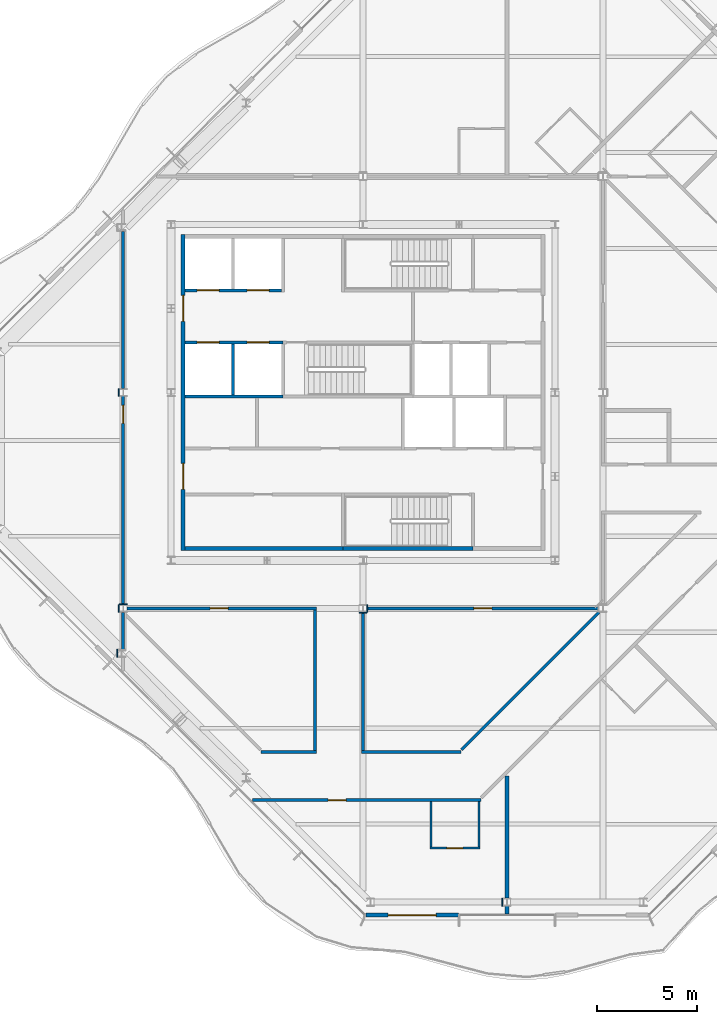
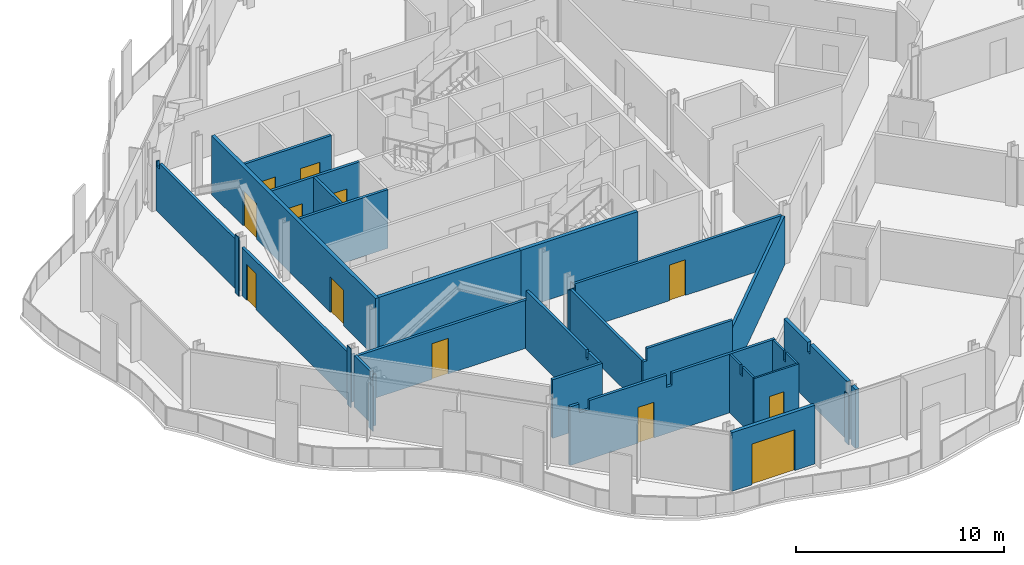
# One storey, part 7 of 17: 31 walls, 12 doors, 12 openings.
"""IFC4 building model written with IfcOpenShell, lengths in metres."""

from ifc_helpers import new_model, si_unit, direction, frame, frame_2d, origin, place, context, subcontext, project, spatial, polyline, rectangle, outline, extrude, material, layer, layer_set, type_object, element, fill, save


model = new_model("IFC4")

# Units and contexts
model_context = context("Model", 3, precision=1e-05, world=origin(), true_north=direction((0.0, 1.0)))
body_context = subcontext(model_context, "Body", "Model", "MODEL_VIEW")
ifc_project = project(units=[si_unit("LENGTHUNIT", "METRE"), si_unit("AREAUNIT", "SQUARE_METRE"), si_unit("VOLUMEUNIT", "CUBIC_METRE"), si_unit("PLANEANGLEUNIT", "RADIAN"), si_unit("MASSUNIT", "GRAM", prefix="KILO")], contexts=[model_context])

# Site, building, storey
site_placement = place(None, origin())
site = spatial("IfcSite", under=ifc_project, at=site_placement, CompositionType="ELEMENT")
building_placement = place(site_placement, origin())
building = spatial("IfcBuilding", under=site, at=building_placement, Name="Cairn Pilgrim Tower", CompositionType="ELEMENT")
storey_placement = place(building_placement, frame((0.0, 0.0, 274.199951171875)))
storey = spatial("IfcBuildingStorey", under=building, at=storey_placement, Name="L70", CompositionType="ELEMENT", Elevation=274.199951171875)

# Wall, opening, door
ifc_material_1 = material(Name="Bronze anodised aluminium insulated sandwich panel with mineral wool fill", Category="aluminium")
ifc_layer_1 = layer(ifc_material_1, 0.199951171875)
ifc_layer_set_1 = layer_set([ifc_layer_1], Name="BRONZE INFILL FRAME WALL 200")
wall_type_1 = type_object("IfcWallType", Name="BRONZE INFILL FRAME WALL 200", PredefinedType="NOTDEFINED", material=ifc_layer_set_1)
wall_1_placement = place(storey_placement, frame((7.343505859375, -23.75, 0.0), z_axis=(0.0, 0.0, 1.0), x_axis=(1.0, 0.0, 0.0)))
wall_1 = element("IfcWall", 1, at=wall_1_placement, inside=storey, type_object=wall_type_1, Name="Bronze infill frame wall IW-S1", PredefinedType="NOTDEFINED", context=body_context, shape_type="SweptSolid", body=[
    extrude(rectangle(XDim=4.62646484375, YDim=0.199951171875, at=frame_2d((2.313232421875, 0.0))), origin(), (0.0, 0.0, 1.0), 3.449951171875),
])
opening_1_placement = place(wall_1_placement, frame((1.1083984375, 0.0, 0.0)))
opening_1 = element("IfcOpeningElement", 2, at=opening_1_placement, cuts=wall_1, Name="Opening 7012B", PredefinedType="OPENING", context=body_context, shape_type="SweptSolid", body=[
    extrude(rectangle(XDim=2.39990234375, YDim=2.39990234375, at=frame_2d((1.199951171875, 1.199951171875))), frame((0.0, 0.10986328125, 0.0), z_axis=(0.0, -1.0, 0.0), x_axis=(1.0, 0.0, 0.0)), (0.0, 0.0, 1.0), 0.219970703125),
])
ifc_material_2 = material(Name="Bronze anodised aluminium frame with tinted low-E glass", Category="aluminium")
door_type_1 = type_object("IfcDoorType", Name="BALCONY SLIDING DOOR 2400x2400", OperationType="DOUBLE_DOOR_SLIDING", PredefinedType="DOOR", material=ifc_material_2)
door_1_placement = place(opening_1_placement, origin())
door_1 = element("IfcDoor", 3, at=door_1_placement, inside=storey, type_object=door_type_1, Name="Balcony sliding door 7012B", OperationType="SINGLE_SWING_LEFT", OverallHeight=2.39990234375, OverallWidth=2.39990234375, PredefinedType="DOOR", context=body_context, shape_type="SweptSolid", body=[
    extrude(rectangle(XDim=2.39990234375, YDim=2.39990234375, at=frame_2d((1.199951171875, 1.199951171875))), frame((0.0, 0.02490234375, 0.0), z_axis=(0.0, -1.0, 0.0), x_axis=(1.0, 0.0, 0.0)), (0.0, 0.0, 1.0), 0.050048828125),
])
fill(opening_1, door_1)

# Wall
ifc_material_3 = material(Name="Concrete C32/40", Category="concrete")
ifc_layer_2 = layer(ifc_material_3, 0.199951171875)
ifc_layer_set_2 = layer_set([ifc_layer_2], Name="CORE OUTER WALL 200 EI 120")
wall_type_2 = type_object("IfcWallType", Name="CORE OUTER WALL 200 EI 120", PredefinedType="SOLIDWALL", material=ifc_layer_set_2)
wall_2_placement = place(storey_placement, frame((-1.699951171875, -5.39990234375, 0.0), z_axis=(0.0, 0.0, 1.0), x_axis=(1.0, 0.0, 0.0)))
element("IfcWall", 4, at=wall_2_placement, inside=storey, type_object=wall_type_2, Name="CW:L70:H01-1", PredefinedType="SOLIDWALL", context=body_context, shape_type="SweptSolid", body=[
    extrude(rectangle(XDim=7.89990234375, YDim=0.199951171875, at=frame_2d((3.949951171875, 0.0))), origin(), (0.0, 0.0, 1.0), 3.449951171875),
])

# Wall, openings, doors
wall_3_placement = place(storey_placement, frame((-1.800048828125, -5.5, 0.0), z_axis=(0.0, 0.0, 1.0), x_axis=(0.0, 1.0, 0.0)))
wall_3 = element("IfcWall", 5, at=wall_3_placement, inside=storey, type_object=wall_type_2, Name="CW:L70:V13", PredefinedType="SOLIDWALL", context=body_context, shape_type="SweptSolid", body=[
    extrude(rectangle(XDim=15.800048828125, YDim=0.199951171875, at=frame_2d((7.89990234375, 0.0))), origin(), (0.0, 0.0, 1.0), 3.449951171875),
])
opening_2_placement = place(wall_3_placement, frame((3.050048828125, 0.0, 0.0)))
opening_2 = element("IfcOpeningElement", 6, at=opening_2_placement, cuts=wall_3, Name="Opening CD-W1", PredefinedType="OPENING", context=body_context, shape_type="SweptSolid", body=[
    extrude(rectangle(XDim=1.300048828125, YDim=2.10009765625, at=frame_2d((0.64990234375, 1.050048828125))), frame((0.0, 0.10986328125, 0.0), z_axis=(0.0, -1.0, 0.0), x_axis=(1.0, 0.0, 0.0)), (0.0, 0.0, 1.0), 0.219970703125),
])
opening_3_placement = place(wall_3_placement, frame((11.449951171875, 0.0, 0.0)))
opening_3 = element("IfcOpeningElement", 7, at=opening_3_placement, cuts=wall_3, Name="Opening CD-W2", PredefinedType="OPENING", context=body_context, shape_type="SweptSolid", body=[
    extrude(rectangle(XDim=1.300048828125, YDim=2.10009765625, at=frame_2d((0.64990234375, 1.050048828125))), frame((0.0, 0.10986328125, 0.0), z_axis=(0.0, -1.0, 0.0), x_axis=(1.0, 0.0, 0.0)), (0.0, 0.0, 1.0), 0.219970703125),
])
ifc_material_4 = material(Name="Painted steel", Category="steel")
door_type_2 = type_object("IfcDoorType", Name="CORE LOBBY DOOR 1300x2100", OperationType="DOUBLE_DOOR_SINGLE_SWING", PredefinedType="DOOR", material=ifc_material_4)
door_2_placement = place(opening_2_placement, origin())
door_2 = element("IfcDoor", 8, at=door_2_placement, inside=storey, type_object=door_type_2, Name="CD-W1", OperationType="DOUBLE_DOOR_SINGLE_SWING", OverallHeight=2.10009765625, OverallWidth=1.300048828125, PredefinedType="DOOR", context=body_context, shape_type="SweptSolid", body=[
    extrude(rectangle(XDim=1.300048828125, YDim=2.10009765625, at=frame_2d((0.64990234375, 1.050048828125))), frame((0.0, 0.02490234375, 0.0), z_axis=(0.0, -1.0, 0.0), x_axis=(1.0, 0.0, 0.0)), (0.0, 0.0, 1.0), 0.050048828125),
])
fill(opening_2, door_2)
door_3_placement = place(opening_3_placement, origin())
door_3 = element("IfcDoor", 9, at=door_3_placement, inside=storey, type_object=door_type_2, Name="CD-W2", OperationType="DOUBLE_DOOR_SINGLE_SWING", OverallHeight=2.10009765625, OverallWidth=1.300048828125, PredefinedType="DOOR", context=body_context, shape_type="SweptSolid", body=[
    extrude(rectangle(XDim=1.300048828125, YDim=2.10009765625, at=frame_2d((0.64990234375, 1.050048828125))), frame((0.0, 0.02490234375, 0.0), z_axis=(0.0, -1.0, 0.0), x_axis=(1.0, 0.0, 0.0)), (0.0, 0.0, 1.0), 0.050048828125),
])
fill(opening_3, door_3)

# Wall
ifc_layer_3 = layer(ifc_material_3, 0.14990234375)
ifc_layer_set_3 = layer_set([ifc_layer_3], Name="CORE SHAFT WALL 150 EI 120")
wall_type_3 = type_object("IfcWallType", Name="CORE SHAFT WALL 150 EI 120", PredefinedType="SOLIDWALL", material=ifc_layer_set_3)
wall_4_placement = place(storey_placement, frame((-1.699951171875, 2.199951171875, 0.0), z_axis=(0.0, 0.0, 1.0), x_axis=(1.0, 0.0, 0.0)))
element("IfcWall", 10, at=wall_4_placement, inside=storey, type_object=wall_type_3, Name="CW:L70:H07-1", PredefinedType="SOLIDWALL", context=body_context, shape_type="SweptSolid", body=[
    extrude(rectangle(XDim=4.89990234375, YDim=0.14990234375, at=frame_2d((2.449951171875, 0.0))), origin(), (0.0, 0.0, 1.0), 3.449951171875),
])

# Wall, openings, doors
wall_5_placement = place(storey_placement, frame((-1.699951171875, 4.89990234375, 0.0), z_axis=(0.0, 0.0, 1.0), x_axis=(1.0, 0.0, 0.0)))
wall_5 = element("IfcWall", 11, at=wall_5_placement, inside=storey, type_object=wall_type_3, Name="CW:L70:H09-1", PredefinedType="SOLIDWALL", context=body_context, shape_type="SweptSolid", body=[
    extrude(rectangle(XDim=4.89990234375, YDim=0.14990234375, at=frame_2d((2.449951171875, 0.0))), origin(), (0.0, 0.0, 1.0), 3.449951171875),
])
opening_4_placement = place(wall_5_placement, frame((0.60009765625, 0.0, 0.0)))
opening_4 = element("IfcOpeningElement", 12, at=opening_4_placement, cuts=wall_5, Name="Opening LD-HR1", PredefinedType="OPENING", context=body_context, shape_type="SweptSolid", body=[
    extrude(rectangle(XDim=1.10009765625, YDim=2.10009765625, at=frame_2d((0.550048828125, 1.050048828125))), frame((0.0, 0.0849609375, 0.0), z_axis=(0.0, -1.0, 0.0), x_axis=(1.0, 0.0, 0.0)), (0.0, 0.0, 1.0), 0.169921875),
])
opening_5_placement = place(wall_5_placement, frame((3.10009765625, 0.0, 0.0)))
opening_5 = element("IfcOpeningElement", 13, at=opening_5_placement, cuts=wall_5, Name="Opening LD-HR2", PredefinedType="OPENING", context=body_context, shape_type="SweptSolid", body=[
    extrude(rectangle(XDim=1.10009765625, YDim=2.10009765625, at=frame_2d((0.550048828125, 1.050048828125))), frame((0.0, 0.0849609375, 0.0), z_axis=(0.0, -1.0, 0.0), x_axis=(1.0, 0.0, 0.0)), (0.0, 0.0, 1.0), 0.169921875),
])
ifc_material_5 = material(Name="Stainless steel", Category="steel")
door_type_3 = type_object("IfcDoorType", Name="LIFT LANDING DOOR 1100x2100", OperationType="DOUBLE_DOOR_SLIDING", PredefinedType="DOOR", material=ifc_material_5)
door_4_placement = place(opening_4_placement, origin())
door_4 = element("IfcDoor", 14, at=door_4_placement, inside=storey, type_object=door_type_3, Name="LANDING DOOR HR1", OperationType="DOUBLE_DOOR_SLIDING", OverallHeight=2.10009765625, OverallWidth=1.10009765625, PredefinedType="DOOR", context=body_context, shape_type="SweptSolid", body=[
    extrude(rectangle(XDim=1.10009765625, YDim=2.10009765625, at=frame_2d((0.550048828125, 1.050048828125))), frame((0.0, 0.02490234375, 0.0), z_axis=(0.0, -1.0, 0.0), x_axis=(1.0, 0.0, 0.0)), (0.0, 0.0, 1.0), 0.050048828125),
])
fill(opening_4, door_4)
door_5_placement = place(opening_5_placement, origin())
door_5 = element("IfcDoor", 15, at=door_5_placement, inside=storey, type_object=door_type_3, Name="LANDING DOOR HR2", OperationType="DOUBLE_DOOR_SLIDING", OverallHeight=2.10009765625, OverallWidth=1.10009765625, PredefinedType="DOOR", context=body_context, shape_type="SweptSolid", body=[
    extrude(rectangle(XDim=1.10009765625, YDim=2.10009765625, at=frame_2d((0.550048828125, 1.050048828125))), frame((0.0, 0.02490234375, 0.0), z_axis=(0.0, -1.0, 0.0), x_axis=(1.0, 0.0, 0.0)), (0.0, 0.0, 1.0), 0.050048828125),
])
fill(opening_5, door_5)

wall_6_placement = place(storey_placement, frame((-1.699951171875, 7.5, 0.0), z_axis=(0.0, 0.0, 1.0), x_axis=(1.0, 0.0, 0.0)))
wall_6 = element("IfcWall", 16, at=wall_6_placement, inside=storey, type_object=wall_type_3, Name="CW:L70:H10", PredefinedType="SOLIDWALL", context=body_context, shape_type="SweptSolid", body=[
    extrude(rectangle(XDim=4.824951171875, YDim=0.14990234375, at=frame_2d((2.41259765625, 0.0))), origin(), (0.0, 0.0, 1.0), 3.449951171875),
])
opening_6_placement = place(wall_6_placement, frame((0.60009765625, 0.0, 0.0)))
opening_6 = element("IfcOpeningElement", 17, at=opening_6_placement, cuts=wall_6, Name="Opening LD-HR3", PredefinedType="OPENING", context=body_context, shape_type="SweptSolid", body=[
    extrude(rectangle(XDim=1.10009765625, YDim=2.10009765625, at=frame_2d((0.550048828125, 1.050048828125))), frame((0.0, 0.0849609375, 0.0), z_axis=(0.0, -1.0, 0.0), x_axis=(1.0, 0.0, 0.0)), (0.0, 0.0, 1.0), 0.169921875),
])
opening_7_placement = place(wall_6_placement, frame((3.10009765625, 0.0, 0.0)))
opening_7 = element("IfcOpeningElement", 18, at=opening_7_placement, cuts=wall_6, Name="Opening LD-HR4", PredefinedType="OPENING", context=body_context, shape_type="SweptSolid", body=[
    extrude(rectangle(XDim=1.10009765625, YDim=2.10009765625, at=frame_2d((0.550048828125, 1.050048828125))), frame((0.0, 0.0849609375, 0.0), z_axis=(0.0, -1.0, 0.0), x_axis=(1.0, 0.0, 0.0)), (0.0, 0.0, 1.0), 0.169921875),
])
door_6_placement = place(opening_6_placement, origin())
door_6 = element("IfcDoor", 19, at=door_6_placement, inside=storey, type_object=door_type_3, Name="LANDING DOOR HR3", OperationType="DOUBLE_DOOR_SLIDING", OverallHeight=2.10009765625, OverallWidth=1.10009765625, PredefinedType="DOOR", context=body_context, shape_type="SweptSolid", body=[
    extrude(rectangle(XDim=1.10009765625, YDim=2.10009765625, at=frame_2d((0.550048828125, 1.050048828125))), frame((0.0, 0.02490234375, 0.0), z_axis=(0.0, -1.0, 0.0), x_axis=(1.0, 0.0, 0.0)), (0.0, 0.0, 1.0), 0.050048828125),
])
fill(opening_6, door_6)
door_7_placement = place(opening_7_placement, origin())
door_7 = element("IfcDoor", 20, at=door_7_placement, inside=storey, type_object=door_type_3, Name="LANDING DOOR HR4", OperationType="DOUBLE_DOOR_SLIDING", OverallHeight=2.10009765625, OverallWidth=1.10009765625, PredefinedType="DOOR", context=body_context, shape_type="SweptSolid", body=[
    extrude(rectangle(XDim=1.10009765625, YDim=2.10009765625, at=frame_2d((0.550048828125, 1.050048828125))), frame((0.0, 0.02490234375, 0.0), z_axis=(0.0, -1.0, 0.0), x_axis=(1.0, 0.0, 0.0)), (0.0, 0.0, 1.0), 0.050048828125),
])
fill(opening_7, door_7)

# Wall
wall_7_placement = place(storey_placement, frame((0.699951171875, 2.27490234375, 0.0), z_axis=(0.0, 0.0, 1.0), x_axis=(0.0, 1.0, 0.0)))
element("IfcWall", 21, at=wall_7_placement, inside=storey, type_object=wall_type_3, Name="CW:L70:V14", PredefinedType="SOLIDWALL", context=body_context, shape_type="SweptSolid", body=[
    extrude(rectangle(XDim=2.550048828125, YDim=0.14990234375, at=frame_2d((1.27490234375, 0.0))), origin(), (0.0, 0.0, 1.0), 3.449951171875),
])

# Wall, opening, door
ifc_material_6 = material(Name="Gypsum partition")
ifc_layer_4 = layer(ifc_material_6, 0.10009765625)
ifc_layer_set_4 = layer_set([ifc_layer_4], Name="PARTITION 100 DRYWALL")
wall_type_4 = type_object("IfcWallType", Name="PARTITION 100 DRYWALL", PredefinedType="PARTITIONING", material=ifc_layer_set_4)
wall_8_placement = place(storey_placement, frame((10.5439453125, -20.39990234375, 0.0), z_axis=(0.0, 0.0, 1.0), x_axis=(1.0, 0.0, 0.0)))
wall_8 = element("IfcWall", 22, at=wall_8_placement, inside=storey, type_object=wall_type_4, Name="PARTITION W003", PredefinedType="PARTITIONING", context=body_context, shape_type="SweptSolid", body=[
    extrude(rectangle(XDim=2.5, YDim=0.10009765625, at=frame_2d((1.25, 0.0))), origin(), (0.0, 0.0, 1.0), 3.449951171875),
])
opening_8_placement = place(wall_8_placement, frame((0.85009765625, 0.0, 0.0)))
opening_8 = element("IfcOpeningElement", 23, at=opening_8_placement, cuts=wall_8, Name="Opening 7012A", PredefinedType="OPENING", context=body_context, shape_type="SweptSolid", body=[
    extrude(rectangle(XDim=0.800048828125, YDim=2.10009765625, at=frame_2d((0.39990234375, 1.050048828125))), frame((0.0, 0.06005859375, 0.0), z_axis=(0.0, -1.0, 0.0), x_axis=(1.0, 0.0, 0.0)), (0.0, 0.0, 1.0), 0.1201171875),
])
ifc_material_7 = material(Name="Timber door leaf", Category="wood")
door_type_4 = type_object("IfcDoorType", Name="WC DOOR 800x2100", OperationType="NOTDEFINED", PredefinedType="DOOR", material=ifc_material_7)
door_8_placement = place(opening_8_placement, frame((0.800048828125, 0.0, 0.0), z_axis=(0.0, 0.0, 1.0), x_axis=(-1.0, 0.0, 0.0)))
door_8 = element("IfcDoor", 24, at=door_8_placement, inside=storey, type_object=door_type_4, Name="DOOR 7012A", OperationType="SINGLE_SWING_RIGHT", OverallHeight=2.10009765625, OverallWidth=0.800048828125, PredefinedType="DOOR", context=body_context, shape_type="SweptSolid", body=[
    extrude(rectangle(XDim=0.800048828125, YDim=2.10009765625, at=frame_2d((0.39990234375, 1.050048828125))), frame((0.0, 0.02490234375, 0.0), z_axis=(0.0, -1.0, 0.0), x_axis=(1.0, 0.0, 0.0)), (0.0, 0.0, 1.0), 0.050048828125),
])
fill(opening_8, door_8)

# Walls
for number, where, z_axis, x_axis, name in (
    (25, (10.593994140625, -20.35009765625, 0.0), (0.0, 0.0, 1.0), (0.0, 1.0, 0.0), "PARTITION W004"),
    (26, (12.993896484375, -20.35009765625, 0.0), (0.0, 0.0, 1.0), (0.0, 1.0, 0.0), "PARTITION W005"),
):
    element("IfcWall", number, at=place(storey_placement, frame(where, z_axis=z_axis, x_axis=x_axis)), inside=storey, type_object=wall_type_4, Name=name, PredefinedType="PARTITIONING", context=body_context, shape_type="SweptSolid", body=[
        extrude(outline(polyline([(0.0, 0.0), (2.275146484375, 0.0), (2.27490234375, 3.449951171875), (1.2548828125, 3.449951171875), (1.2529296875, 2.880126953125), (1.044921875, 2.880126953125), (1.04296875, 3.449951171875), (0.0, 3.449951171875), (0.0, 0.0)])), frame((0.0, 0.050048828125, 0.0), z_axis=(0.0, -1.0, 0.0), x_axis=(1.0, 0.0, 0.0)), (0.0, 0.0, 1.0), 0.10009765625),
    ])

# Wall, opening, door
ifc_layer_5 = layer(ifc_material_6, 0.14990234375)
ifc_layer_set_5 = layer_set([ifc_layer_5], Name="PARTITION 150 DRYWALL EI 60")
wall_type_5 = type_object("IfcWallType", Name="PARTITION 150 DRYWALL EI 60", PredefinedType="PARTITIONING", material=ifc_layer_set_5)
wall_9_placement = place(storey_placement, frame((1.673828125, -18.0, 0.0), z_axis=(0.0, 0.0, 1.0), x_axis=(1.0, 0.0, 0.0)))
wall_9 = element("IfcWall", 27, at=wall_9_placement, inside=storey, type_object=wall_type_5, Name="PARTITION W006", PredefinedType="PARTITIONING", context=body_context, shape_type="SweptSolid", body=[
    extrude(outline(polyline([(0.0, 0.0), (11.42626953125, 0.0), (11.42626953125, 3.449951171875), (5.676025390625, 3.449951171875), (5.674072265625, 2.72998046875), (5.376220703125, 2.72998046875), (5.3740234375, 3.449951171875), (1.0859375, 3.449951171875), (1.083984375, 2.929931640625), (0.51171875, 2.929931640625), (0.509765625, 3.449951171875), (0.0, 3.449951171875), (0.0, 0.0)])), frame((0.0, 0.074951171875, 0.0), z_axis=(0.0, -1.0, 0.0), x_axis=(1.0, 0.0, 0.0)), (0.0, 0.0, 1.0), 0.14990234375),
])
opening_9_placement = place(wall_9_placement, frame((3.773193359375, 0.0, 0.0)))
opening_9 = element("IfcOpeningElement", 28, at=opening_9_placement, cuts=wall_9, Name="Opening 7012", PredefinedType="OPENING", context=body_context, shape_type="SweptSolid", body=[
    extrude(rectangle(XDim=0.89990234375, YDim=2.10009765625, at=frame_2d((0.449951171875, 1.050048828125))), frame((0.0, 0.0849609375, 0.0), z_axis=(0.0, -1.0, 0.0), x_axis=(1.0, 0.0, 0.0)), (0.0, 0.0, 1.0), 0.169921875),
])
door_type_5 = type_object("IfcDoorType", Name="ROOM DOOR 900x2100 FD30S", OperationType="NOTDEFINED", PredefinedType="DOOR", material=ifc_material_7)
door_9_placement = place(opening_9_placement, frame((0.89990234375, 0.0, 0.0), z_axis=(0.0, 0.0, 1.0), x_axis=(-1.0, 0.0, 0.0)))
door_9 = element("IfcDoor", 29, at=door_9_placement, inside=storey, type_object=door_type_5, Name="DOOR 7012", OperationType="SINGLE_SWING_RIGHT", OverallHeight=2.10009765625, OverallWidth=0.89990234375, PredefinedType="DOOR", context=body_context, shape_type="SweptSolid", body=[
    extrude(rectangle(XDim=0.89990234375, YDim=2.10009765625, at=frame_2d((0.449951171875, 1.050048828125))), frame((0.0, 0.02490234375, 0.0), z_axis=(0.0, -1.0, 0.0), x_axis=(1.0, 0.0, 0.0)), (0.0, 0.0, 1.0), 0.050048828125),
])
fill(opening_9, door_9)

# Walls
wall_10_placement = place(storey_placement, frame((2.087890625, -15.60009765625, 0.0), z_axis=(0.0, 0.0, 1.0), x_axis=(1.0, 0.0, 0.0)))
element("IfcWall", 30, at=wall_10_placement, inside=storey, type_object=wall_type_5, Name="PARTITION W010", PredefinedType="PARTITIONING", context=body_context, shape_type="SweptSolid", body=[
    extrude(rectangle(XDim=2.787109375, YDim=0.14990234375, at=frame_2d((1.3935546875, 0.0))), origin(), (0.0, 0.0, 1.0), 3.449951171875),
])
wall_11_placement = place(storey_placement, frame((7.125, -15.60009765625, 0.0), z_axis=(0.0, 0.0, 1.0), x_axis=(1.0, 0.0, 0.0)))
element("IfcWall", 31, at=wall_11_placement, inside=storey, type_object=wall_type_5, Name="PARTITION W011", PredefinedType="PARTITIONING", context=body_context, shape_type="SweptSolid", body=[
    extrude(outline(polyline([(0.0, 0.0), (4.981201171875, 0.0), (4.981201171875, 3.449951171875), (0.22509765625, 3.449951171875), (0.222900390625, 2.72998046875), (0.0, 2.72998046875), (0.0, 0.0)])), frame((0.0, 0.074951171875, 0.0), z_axis=(0.0, -1.0, 0.0), x_axis=(1.0, 0.0, 0.0)), (0.0, 0.0, 1.0), 0.14990234375),
])
wall_12_placement = place(storey_placement, frame((4.800048828125, -15.52490234375, 0.0), z_axis=(0.0, 0.0, 1.0), x_axis=(0.0, 1.0, 0.0)))
element("IfcWall", 32, at=wall_12_placement, inside=storey, type_object=wall_type_5, Name="PARTITION W013", PredefinedType="PARTITIONING", context=body_context, shape_type="SweptSolid", body=[
    extrude(outline(polyline([(0.0, 0.0), (7.0498046875, 0.0), (7.050048828125, 2.830078125), (6.97509765625, 2.830078125), (6.972900390625, 3.449951171875), (1.219970703125, 3.449951171875), (1.218017578125, 2.97998046875), (1.030029296875, 2.97998046875), (1.028076171875, 3.449951171875), (0.0, 3.449951171875), (0.0, 0.0)])), frame((0.0, 0.074951171875, 0.0), z_axis=(0.0, -1.0, 0.0), x_axis=(1.0, 0.0, 0.0)), (0.0, 0.0, 1.0), 0.14990234375),
])
wall_13_placement = place(storey_placement, frame((7.199951171875, -15.52490234375, 0.0), z_axis=(0.0, 0.0, 1.0), x_axis=(0.0, 1.0, 0.0)))
element("IfcWall", 33, at=wall_13_placement, inside=storey, type_object=wall_type_5, Name="PARTITION W014", PredefinedType="PARTITIONING", context=body_context, shape_type="SweptSolid", body=[
    extrude(rectangle(XDim=6.9375, YDim=0.14990234375, at=frame_2d((3.46875, 0.0))), origin(), (0.0, 0.0, 1.0), 2.72998046875),
])
wall_14_placement = place(storey_placement, frame((12.1279296875, -15.471923828125, 0.0), z_axis=(0.0, 0.0, 1.0), x_axis=(0.70711932755, 0.7070942346, 0.0)))
element("IfcWall", 34, at=wall_14_placement, inside=storey, type_object=wall_type_5, Name="PARTITION W015", PredefinedType="PARTITIONING", context=body_context, shape_type="SweptSolid", body=[
    extrude(rectangle(XDim=9.7294921875, YDim=0.14990234375, at=frame_2d((4.86474609375, 0.0))), origin(), (0.0, 0.0, 1.0), 2.880126953125),
])
wall_15_placement = place(storey_placement, frame((-4.800048828125, -10.455078125, 0.0), z_axis=(0.0, 0.0, 1.0), x_axis=(0.0, 1.0, 0.0)))
element("IfcWall", 35, at=wall_15_placement, inside=storey, type_object=wall_type_5, Name="PARTITION W020", PredefinedType="PARTITIONING", context=body_context, shape_type="SweptSolid", body=[
    extrude(outline(polyline([(0.0, 0.0), (1.84912109375, 0.0), (1.84912109375, 3.030029296875), (0.2978515625, 3.030029296875), (0.2958984375, 2.630126953125), (0.05810546875, 2.630126953125), (0.05615234375, 3.030029296875), (0.0, 3.030029296875), (0.0, 0.0)])), frame((0.0, 0.074951171875, 0.0), z_axis=(0.0, -1.0, 0.0), x_axis=(1.0, 0.0, 0.0)), (0.0, 0.0, 1.0), 0.14990234375),
])

# Wall, opening, door
wall_16_placement = place(storey_placement, frame((-4.60302734375, -8.39990234375, 0.0), z_axis=(0.0, 0.0, 1.0), x_axis=(1.0, 0.0, 0.0)))
wall_16 = element("IfcWall", 36, at=wall_16_placement, inside=storey, type_object=wall_type_5, Name="PARTITION W022", PredefinedType="PARTITIONING", context=body_context, shape_type="SweptSolid", body=[
    extrude(rectangle(XDim=9.47802734375, YDim=0.14990234375, at=frame_2d((4.739013671875, 0.0))), origin(), (0.0, 0.0, 1.0), 2.830078125),
])
opening_10_placement = place(wall_16_placement, frame((4.153076171875, 0.0, 0.0)))
opening_10 = element("IfcOpeningElement", 37, at=opening_10_placement, cuts=wall_16, Name="Opening 7017", PredefinedType="OPENING", context=body_context, shape_type="SweptSolid", body=[
    extrude(rectangle(XDim=0.89990234375, YDim=2.10009765625, at=frame_2d((0.449951171875, 1.050048828125))), frame((0.0, 0.0849609375, 0.0), z_axis=(0.0, -1.0, 0.0), x_axis=(1.0, 0.0, 0.0)), (0.0, 0.0, 1.0), 0.169921875),
])
door_type_6 = type_object("IfcDoorType", Name="SERVICE DOOR 900x2100 FD30S", OperationType="NOTDEFINED", PredefinedType="DOOR", material=ifc_material_7)
door_10_placement = place(opening_10_placement, frame((0.89990234375, 0.0, 0.0), z_axis=(0.0, 0.0, 1.0), x_axis=(-1.0, 0.0, 0.0)))
door_10 = element("IfcDoor", 38, at=door_10_placement, inside=storey, type_object=door_type_6, Name="DOOR 7017", OperationType="SINGLE_SWING_RIGHT", OverallHeight=2.10009765625, OverallWidth=0.89990234375, PredefinedType="DOOR", context=body_context, shape_type="SweptSolid", body=[
    extrude(rectangle(XDim=0.89990234375, YDim=2.10009765625, at=frame_2d((0.449951171875, 1.050048828125))), frame((0.0, 0.02490234375, 0.0), z_axis=(0.0, -1.0, 0.0), x_axis=(1.0, 0.0, 0.0)), (0.0, 0.0, 1.0), 0.050048828125),
])
fill(opening_10, door_10)

wall_17_placement = place(storey_placement, frame((7.39697265625, -8.39990234375, 0.0), z_axis=(0.0, 0.0, 1.0), x_axis=(1.0, 0.0, 0.0)))
wall_17 = element("IfcWall", 39, at=wall_17_placement, inside=storey, type_object=wall_type_5, Name="PARTITION W023", PredefinedType="PARTITIONING", context=body_context, shape_type="SweptSolid", body=[
    extrude(rectangle(XDim=11.60595703125, YDim=0.14990234375, at=frame_2d((5.802978515625, 0.0))), origin(), (0.0, 0.0, 1.0), 2.830078125),
])
opening_11_placement = place(wall_17_placement, frame((5.35302734375, 0.0, 0.0)))
opening_11 = element("IfcOpeningElement", 40, at=opening_11_placement, cuts=wall_17, Name="Opening 7018", PredefinedType="OPENING", context=body_context, shape_type="SweptSolid", body=[
    extrude(rectangle(XDim=0.89990234375, YDim=2.10009765625, at=frame_2d((0.449951171875, 1.050048828125))), frame((0.0, 0.0849609375, 0.0), z_axis=(0.0, -1.0, 0.0), x_axis=(1.0, 0.0, 0.0)), (0.0, 0.0, 1.0), 0.169921875),
])
door_11_placement = place(opening_11_placement, frame((0.89990234375, 0.0, 0.0), z_axis=(0.0, 0.0, 1.0), x_axis=(-1.0, 0.0, 0.0)))
door_11 = element("IfcDoor", 41, at=door_11_placement, inside=storey, type_object=door_type_6, Name="DOOR 7018", OperationType="SINGLE_SWING_RIGHT", OverallHeight=2.10009765625, OverallWidth=0.89990234375, PredefinedType="DOOR", context=body_context, shape_type="SweptSolid", body=[
    extrude(rectangle(XDim=0.89990234375, YDim=2.10009765625, at=frame_2d((0.449951171875, 1.050048828125))), frame((0.0, 0.02490234375, 0.0), z_axis=(0.0, -1.0, 0.0), x_axis=(1.0, 0.0, 0.0)), (0.0, 0.0, 1.0), 0.050048828125),
])
fill(opening_11, door_11)

wall_18_placement = place(storey_placement, frame((-4.800048828125, -8.21240234375, 0.0), z_axis=(0.0, 0.0, 1.0), x_axis=(0.0, 1.0, 0.0)))
wall_18 = element("IfcWall", 42, at=wall_18_placement, inside=storey, type_object=wall_type_5, Name="PARTITION W024", PredefinedType="PARTITIONING", context=body_context, shape_type="SweptSolid", body=[
    extrude(rectangle(XDim=10.4248046875, YDim=0.14990234375, at=frame_2d((5.21240234375, 0.0))), origin(), (0.0, 0.0, 1.0), 2.830078125),
])
opening_12_placement = place(wall_18_placement, frame((9.0625, 0.0, 0.0)))
opening_12 = element("IfcOpeningElement", 43, at=opening_12_placement, cuts=wall_18, Name="Opening 7011", PredefinedType="OPENING", context=body_context, shape_type="SweptSolid", body=[
    extrude(rectangle(XDim=0.89990234375, YDim=2.10009765625, at=frame_2d((0.449951171875, 1.050048828125))), frame((0.0, 0.0849609375, 0.0), z_axis=(0.0, -1.0, 0.0), x_axis=(1.0, 0.0, 0.0)), (0.0, 0.0, 1.0), 0.169921875),
])
door_12_placement = place(opening_12_placement, origin())
door_12 = element("IfcDoor", 44, at=door_12_placement, inside=storey, type_object=door_type_5, Name="DOOR 7011", OperationType="SINGLE_SWING_RIGHT", OverallHeight=2.10009765625, OverallWidth=0.89990234375, PredefinedType="DOOR", context=body_context, shape_type="SweptSolid", body=[
    extrude(rectangle(XDim=0.89990234375, YDim=2.10009765625, at=frame_2d((0.449951171875, 1.050048828125))), frame((0.0, 0.02490234375, 0.0), z_axis=(0.0, -1.0, 0.0), x_axis=(1.0, 0.0, 0.0)), (0.0, 0.0, 1.0), 0.050048828125),
])
fill(opening_12, door_12)

# Walls
wall_19_placement = place(storey_placement, frame((-4.800048828125, 2.58740234375, 0.0), z_axis=(0.0, 0.0, 1.0), x_axis=(0.0, 1.0, 0.0)))
element("IfcWall", 45, at=wall_19_placement, inside=storey, type_object=wall_type_5, Name="PARTITION W041", PredefinedType="PARTITIONING", context=body_context, shape_type="SweptSolid", body=[
    extrude(outline(polyline([(0.0, 0.0), (7.86767578125, 0.0), (7.867431640625, 2.929931640625), (7.809326171875, 2.929931640625), (7.807373046875, 2.630126953125), (7.569580078125, 2.630126953125), (7.567626953125, 2.929931640625), (0.0, 2.929931640625), (0.0, 0.0)])), frame((0.0, 0.074951171875, 0.0), z_axis=(0.0, -1.0, 0.0), x_axis=(1.0, 0.0, 0.0)), (0.0, 0.0, 1.0), 0.14990234375),
])
ifc_layer_6 = layer(ifc_material_6, 0.050048828125)
ifc_layer_set_6 = layer_set([ifc_layer_6], Name="PARTITION 50 DRYWALL EI 60")
wall_type_6 = type_object("IfcWallType", Name="PARTITION 50 DRYWALL EI 60", PredefinedType="PARTITIONING", material=ifc_layer_set_6)
wall_20_placement = place(storey_placement, frame((14.175537109375, -23.29638671875, 0.0), z_axis=(0.0, 0.0, 1.0), x_axis=(0.0, 1.0, 0.0)))
element("IfcWall", 46, at=wall_20_placement, inside=storey, type_object=wall_type_6, Name="COLUMN CASING WC01", PredefinedType="PARTITIONING", context=body_context, shape_type="SweptSolid", body=[
    extrude(rectangle(XDim=0.392822265625, YDim=0.050048828125, at=frame_2d((0.1962890625, 0.0))), origin(), (0.0, 0.0, 1.0), 2.929931640625),
])
wall_21_placement = place(storey_placement, frame((7.422119140625, -8.58740234375, 0.0), z_axis=(0.0, 0.0, 1.0), x_axis=(0.0, 1.0, 0.0)))
element("IfcWall", 47, at=wall_21_placement, inside=storey, type_object=wall_type_6, Name="COLUMN CASING WC04", PredefinedType="PARTITIONING", context=body_context, shape_type="SweptSolid", body=[
    extrude(rectangle(XDim=0.375, YDim=0.050048828125, at=frame_2d((0.1875, 0.0))), origin(), (0.0, 0.0, 1.0), 2.830078125),
])
wall_22_placement = place(storey_placement, frame((-5.10009765625, -10.847900390625, 0.0), z_axis=(0.0, 0.0, 1.0), x_axis=(0.0, 1.0, 0.0)))
element("IfcWall", 48, at=wall_22_placement, inside=storey, type_object=wall_type_6, Name="COLUMN CASING WC07", PredefinedType="PARTITIONING", context=body_context, shape_type="SweptSolid", body=[
    extrude(rectangle(XDim=0.392822265625, YDim=0.050048828125, at=frame_2d((0.1962890625, 0.0))), origin(), (0.0, 0.0, 1.0), 2.630126953125),
])
for number, where, z_axis, x_axis, name in (
    (49, (-5.02197265625, -8.58740234375, 0.0), (0.0, 0.0, 1.0), (0.0, 1.0, 0.0), "COLUMN CASING WC08"),
    (50, (-5.02197265625, 2.21240234375, 0.0), (0.0, 0.0, 1.0), (0.0, 1.0, 0.0), "COLUMN CASING WC09"),
):
    element("IfcWall", number, at=place(storey_placement, frame(where, z_axis=z_axis, x_axis=x_axis)), inside=storey, type_object=wall_type_6, Name=name, PredefinedType="PARTITIONING", context=body_context, shape_type="SweptSolid", body=[
        extrude(rectangle(XDim=0.375, YDim=0.050048828125, at=frame_2d((0.1875, 0.0))), origin(), (0.0, 0.0, 1.0), 3.449951171875),
    ])
wall_23_placement = place(storey_placement, frame((-4.9970703125, -8.1875, 0.0), z_axis=(0.0, 0.0, 1.0), x_axis=(1.0, 0.0, 0.0)))
element("IfcWall", 51, at=wall_23_placement, inside=storey, type_object=wall_type_6, Name="COLUMN CASING WC11", PredefinedType="PARTITIONING", context=body_context, shape_type="SweptSolid", body=[
    extrude(rectangle(XDim=0.39404296875, YDim=0.050048828125, at=frame_2d((0.197021484375, 0.0))), origin(), (0.0, 0.0, 1.0), 2.830078125),
])
wall_24_placement = place(storey_placement, frame((7.0029296875, -8.612548828125, 0.0), z_axis=(0.0, 0.0, 1.0), x_axis=(1.0, 0.0, 0.0)))
element("IfcWall", 52, at=wall_24_placement, inside=storey, type_object=wall_type_6, Name="COLUMN CASING WC12", PredefinedType="PARTITIONING", context=body_context, shape_type="SweptSolid", body=[
    extrude(rectangle(XDim=0.39404296875, YDim=0.050048828125, at=frame_2d((0.197021484375, 0.0))), origin(), (0.0, 0.0, 1.0), 2.72998046875),
])
ifc_layer_7 = layer(ifc_material_6, 0.199951171875)
ifc_layer_set_7 = layer_set([ifc_layer_7], Name="SHAFT WALL 200 GYPSUM EI 60")
wall_type_7 = type_object("IfcWallType", Name="SHAFT WALL 200 GYPSUM EI 60", PredefinedType="PARTITIONING", material=ifc_layer_set_7)
wall_25_placement = place(storey_placement, frame((14.39990234375, -23.702880859375, 0.0), z_axis=(0.0, 0.0, 1.0), x_axis=(0.0, 1.0, 0.0)))
element("IfcWall", 53, at=wall_25_placement, inside=storey, type_object=wall_type_7, Name="PARTITION W001", PredefinedType="PARTITIONING", context=body_context, shape_type="SweptSolid", body=[
    extrude(rectangle(XDim=0.406494140625, YDim=0.199951171875, at=frame_2d((0.203125, 0.0))), origin(), (0.0, 0.0, 1.0), 3.449951171875),
])
wall_26_placement = place(storey_placement, frame((14.39990234375, -22.903564453125, 0.0), z_axis=(0.0, 0.0, 1.0), x_axis=(0.0, 1.0, 0.0)))
element("IfcWall", 54, at=wall_26_placement, inside=storey, type_object=wall_type_7, Name="PARTITION W002", PredefinedType="PARTITIONING", context=body_context, shape_type="SweptSolid", body=[
    extrude(outline(polyline([(0.0, 0.0), (6.103515625, 0.0), (6.103515625, 3.449951171875), (3.80859375, 3.449951171875), (3.806396484375, 2.880126953125), (3.598388671875, 2.880126953125), (3.596435546875, 3.449951171875), (0.0, 3.449951171875), (0.0, 0.0)])), frame((0.0, 0.10009765625, 0.0), z_axis=(0.0, -1.0, 0.0), x_axis=(1.0, 0.0, 0.0)), (0.0, 0.0, 1.0), 0.199951171875),
])
ifc_material_8 = material(Name="Concrete C35/45", Category="concrete")
ifc_layer_8 = layer(ifc_material_8, 0.199951171875)
ifc_layer_set_8 = layer_set([ifc_layer_8], Name="STAIR SHAFT WALL 200 EI 120")
wall_type_8 = type_object("IfcWallType", Name="STAIR SHAFT WALL 200 EI 120", PredefinedType="SOLIDWALL", material=ifc_layer_set_8)
wall_27_placement = place(storey_placement, frame((6.199951171875, -5.39990234375, 0.0), z_axis=(0.0, 0.0, 1.0), x_axis=(1.0, 0.0, 0.0)))
element("IfcWall", 55, at=wall_27_placement, inside=storey, type_object=wall_type_8, Name="CW:L70:H01-2", PredefinedType="SOLIDWALL", context=body_context, shape_type="SweptSolid", body=[
    extrude(rectangle(XDim=6.5, YDim=0.199951171875, at=frame_2d((3.25, 0.0))), origin(), (0.0, 0.0, 1.0), 3.449951171875),
])

save(model, "model.ifc")
